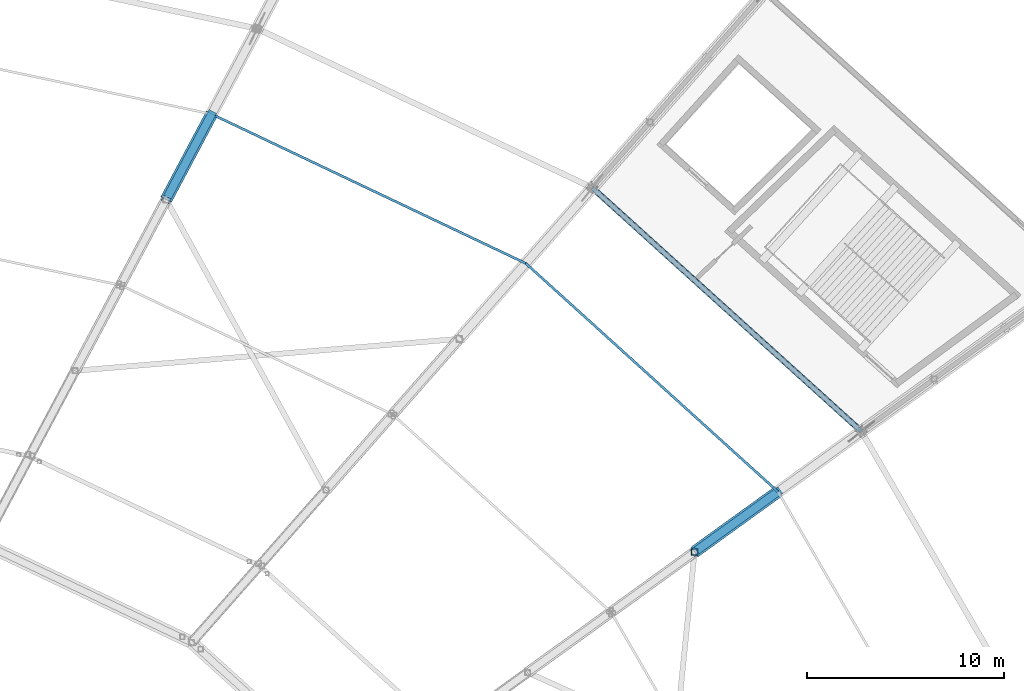
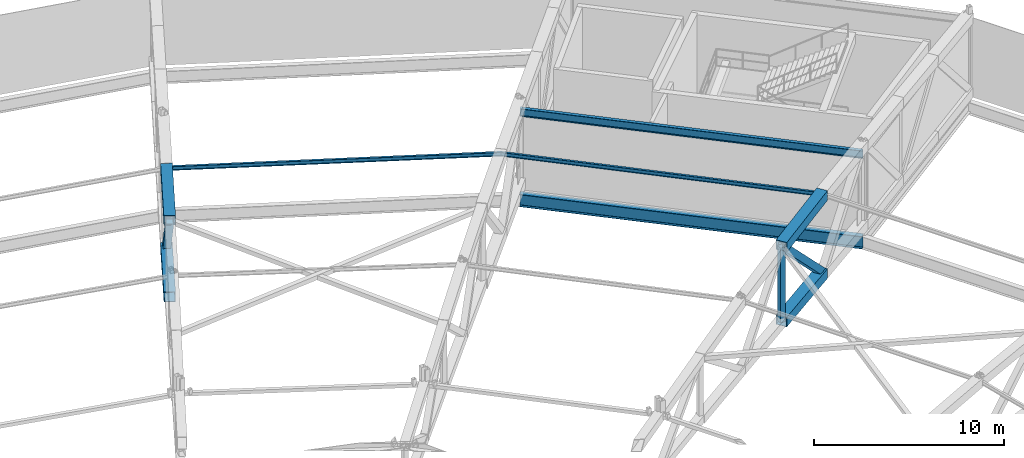
# One storey, part 86 of 162: 9 members, 2 beams.
"""IFC4 building model written with IfcOpenShell, lengths in metres."""

import ifcopenshell
import ifcopenshell.guid

model = None  # the IFC model being written
_history = None  # IfcOwnerHistory: only IFC2X3 demands one
_inside = {}  # id of a spatial element -> (the spatial element, [elements in it])
_under = {}  # id of a project, library or spatial element -> (it, [spatial elements below it])
_declared = {}  # id of a project -> (the project, [libraries it declares])
_typed = {}  # id of a type object -> (the type object, [elements of that type])
_made_of = {}  # id of a material, layer set ... -> (it, [elements and type objects made of it])


def new_model(schema):
    """Start an empty IFC model of exactly this schema.

    Asked for "IFC4X3", IfcOpenShell would pick the latest addendum, in which some entities
    have other attributes; the version numbers below select the first issue.
    IFC2X3 requires an IfcOwnerHistory on every rooted entity: one is made here for all.
    """
    global model, _history
    if schema == "IFC4X3":
        model = ifcopenshell.file(schema_version=(4, 3, 0, 0))
    else:
        model = ifcopenshell.file(schema=schema)
    _inside.clear()
    _under.clear()
    _declared.clear()
    _typed.clear()
    _made_of.clear()
    _history = None
    if model.schema == "IFC2X3":
        org = make("IfcOrganization", Name="unknown")
        user = make(
            "IfcPersonAndOrganization",
            ThePerson=make("IfcPerson", FamilyName="unknown"),
            TheOrganization=org,
        )
        app = make(
            "IfcApplication",
            ApplicationDeveloper=org,
            Version="unknown",
            ApplicationFullName="unknown",
            ApplicationIdentifier="unknown",
        )
        _history = make(
            "IfcOwnerHistory",
            OwningUser=user,
            OwningApplication=app,
            ChangeAction="ADDED",
            CreationDate=0,
        )
    return model


def make(cls, **values):
    """One entity of the class cls with the attributes given. An attribute that is None is left unset."""
    return model.create_entity(
        cls, **{name: value for name, value in values.items() if value is not None}
    )


def rooted(cls, **values):
    """An entity with a GlobalId (a new one), such as an element, a storey or a relation."""
    return make(cls, GlobalId=ifcopenshell.guid.new(), OwnerHistory=_history, **values)


def si_unit(unit_type, name, prefix=None):
    """IfcSIUnit, for example si_unit("LENGTHUNIT", "METRE", prefix="MILLI")."""
    return make("IfcSIUnit", UnitType=unit_type, Prefix=prefix, Name=name)


def assignment(units):
    """IfcUnitAssignment: the units of a project."""
    return None if units is None else make("IfcUnitAssignment", Units=units)


def point(xyz):
    """IfcCartesianPoint."""
    return None if xyz is None else make("IfcCartesianPoint", Coordinates=xyz)


def direction(xyz):
    """IfcDirection."""
    return None if xyz is None else make("IfcDirection", DirectionRatios=xyz)


def frame(location, z_axis=None, x_axis=None):
    """IfcAxis2Placement3D, a coordinate frame: its origin and axes. An axis left out is left unset."""
    return make(
        "IfcAxis2Placement3D",
        Location=point(location),
        Axis=direction(z_axis),
        RefDirection=direction(x_axis),
    )


def frame_2d(location, x_axis=None):
    """IfcAxis2Placement2D, a coordinate frame in the plane: its origin and x axis."""
    return make(
        "IfcAxis2Placement2D", Location=point(location), RefDirection=direction(x_axis)
    )


def origin():
    """The frame at (0, 0, 0) with its axes left unset."""
    return frame((0.0, 0.0, 0.0))


def origin_2d():
    """The frame at (0, 0) in the plane with its x axis left unset."""
    return frame_2d((0.0, 0.0))


def place(relative_to, where):
    """IfcLocalPlacement: puts the frame where relative to a parent placement (None: the world)."""
    return make(
        "IfcLocalPlacement", PlacementRelTo=relative_to, RelativePlacement=where
    )


def context(
    kind, dimensions, precision=None, world=None, true_north=None, identifier=None
):
    """IfcGeometricRepresentationContext, for example the 3D "Model" context."""
    return make(
        "IfcGeometricRepresentationContext",
        ContextIdentifier=identifier,
        ContextType=kind,
        CoordinateSpaceDimension=dimensions,
        Precision=precision,
        WorldCoordinateSystem=world,
        TrueNorth=true_north,
    )


def subcontext(parent, identifier, kind, view, scale=None):
    """IfcGeometricRepresentationSubContext, for example "Body" below "Model"."""
    return make(
        "IfcGeometricRepresentationSubContext",
        ContextIdentifier=identifier,
        ContextType=kind,
        ParentContext=parent,
        TargetScale=scale,
        TargetView=view,
    )


def project(units=None, contexts=None):
    """IfcProject with its units and contexts."""
    return rooted(
        "IfcProject",
        Name="project",
        RepresentationContexts=contexts,
        UnitsInContext=assignment(units),
    )


def spatial(cls, under=None, at=None, **own):
    """A site, building, storey or space (cls), placed at a placement, below another one or the project."""
    s = rooted(cls, ObjectPlacement=at, **own)
    if under is not None:
        _under.setdefault(under.id(), (under, []))[1].append(s)
    return s


def profile(cls, at=None, kind="AREA", **sizes):
    """A parametric profile (cls). Its sizes go by their IFC names, for example OverallWidth=200.0."""
    return make(cls, ProfileType=kind, Position=at, **sizes)


def hollow_rectangle(**sizes):
    """IfcRectangleHollowProfileDef."""
    return profile("IfcRectangleHollowProfileDef", **sizes)


def i_section(**sizes):
    """IfcIShapeProfileDef."""
    return profile("IfcIShapeProfileDef", **sizes)


def extrude(swept, where, along, depth):
    """IfcExtrudedAreaSolid: the profile swept, set in the frame where, extruded along a direction by depth."""
    return make(
        "IfcExtrudedAreaSolid",
        SweptArea=swept,
        Position=where,
        ExtrudedDirection=direction(along),
        Depth=depth,
    )


def shape(context_of_items, identifier, shape_type, items):
    """IfcShapeRepresentation: the items that make up one representation, for example the "Body"."""
    return make(
        "IfcShapeRepresentation",
        ContextOfItems=context_of_items,
        RepresentationIdentifier=identifier,
        RepresentationType=shape_type,
        Items=items,
    )


def material(Name=None, Category=None):
    """IfcMaterial."""
    return make("IfcMaterial", Name=Name, Category=Category)


def material_profile(
    of_material, cross_section, Name=None, Category=None, Priority=None
):
    """IfcMaterialProfile: a cross section and its material."""
    return make(
        "IfcMaterialProfile",
        Name=Name,
        Material=of_material,
        Profile=cross_section,
        Priority=Priority,
        Category=Category,
    )


def profile_set(profiles, Name=None, composite=None):
    """IfcMaterialProfileSet."""
    return make(
        "IfcMaterialProfileSet",
        Name=Name,
        MaterialProfiles=profiles,
        CompositeProfile=composite,
    )


def made_of(thing, what):
    """Note that an element or type object is made of a material, layer set ...; save() writes the relation."""
    if what is not None:
        _made_of.setdefault(what.id(), (what, []))[1].append(thing)
    return thing


def type_object(cls, material=None, **own):
    """A type object (cls), such as IfcWallType, which elements share."""
    return made_of(rooted(cls, **own), material)


def element(
    cls,
    number,
    at=None,
    inside=None,
    cuts=None,
    type_object=None,
    material=None,
    context=None,
    identifier="Body",
    shape_type=None,
    held_by="IfcProductDefinitionShape",
    body=None,
    shapes=None,
    **own,
):
    """One element of the class cls, such as IfcWall. Its Tag is "e" and its number.

    at: its placement. inside: the storey or other place that contains it. cuts: it is an
    opening in that element (IfcRelVoidsElement). A single representation is given by context,
    identifier, shape_type and body (its items); several are given by shapes. held_by: the class
    of the entity that holds the representations. save() writes the other relations.
    """
    e = rooted(cls, Tag="e%d" % number, ObjectPlacement=at, **own)
    if body is not None:
        shapes = [shape(context, identifier, shape_type, body)]
    if shapes is not None:
        e.Representation = make(held_by, Representations=shapes)
    if inside is not None:
        _inside.setdefault(inside.id(), (inside, []))[1].append(e)
    if cuts is not None:
        rooted(
            "IfcRelVoidsElement", RelatingBuildingElement=cuts, RelatedOpeningElement=e
        )
    if type_object is not None:
        _typed.setdefault(type_object.id(), (type_object, []))[1].append(e)
    return made_of(e, material)


def aggregate(whole, parts):
    """IfcRelAggregates: a whole, such as a stair, and the parts it consists of."""
    return rooted("IfcRelAggregates", RelatingObject=whole, RelatedObjects=parts)


def save(model, path):
    """Write the relations noted so far, then the file.

    IfcRelAggregates (storeys below a building ...), IfcRelContainedInSpatialStructure (elements
    in a storey), IfcRelDefinesByType, IfcRelAssociatesMaterial and IfcRelDeclares: one each for
    every whole, place, type object, material and project.
    """
    for whole, parts in _under.values():
        aggregate(whole, parts)
    for where, things in _inside.values():
        rooted(
            "IfcRelContainedInSpatialStructure",
            RelatedElements=things,
            RelatingStructure=where,
        )
    for kind, things in _typed.values():
        rooted("IfcRelDefinesByType", RelatedObjects=things, RelatingType=kind)
    for what, things in _made_of.values():
        rooted("IfcRelAssociatesMaterial", RelatedObjects=things, RelatingMaterial=what)
    for by, libraries in _declared.values():
        rooted("IfcRelDeclares", RelatingContext=by, RelatedDefinitions=libraries)
    model.write(path)


model = new_model("IFC4")

# Units and contexts
model_context = context("Model", 3, precision=1e-05, world=origin(), true_north=direction((0.0, 1.0)))
body_context = subcontext(model_context, "Body", "Model", "MODEL_VIEW")
ifc_project = project(units=[si_unit("LENGTHUNIT", "METRE"), si_unit("AREAUNIT", "SQUARE_METRE"), si_unit("VOLUMEUNIT", "CUBIC_METRE"), si_unit("PLANEANGLEUNIT", "RADIAN"), si_unit("MASSUNIT", "GRAM", prefix="KILO")], contexts=[model_context])

# Site, building, storey
site_placement = place(None, origin())
site = spatial("IfcSite", under=ifc_project, at=site_placement, CompositionType="ELEMENT")
building_placement = place(site_placement, origin())
building = spatial("IfcBuilding", under=site, at=building_placement, Name="Kazemori Nagisa Stadium", CompositionType="ELEMENT")
storey_placement = place(building_placement, frame((0.0, 0.0, 36.719970703125)))
storey = spatial("IfcBuildingStorey", under=building, at=storey_placement, Name="RF", CompositionType="ELEMENT", Elevation=36.719970703125)

# Beams
ifc_material_1 = material(Name="Steel SN490B", Category="steel")
ifc_material_profile_1 = material_profile(ifc_material_1, i_section(OverallWidth=0.199951171875, OverallDepth=0.5, WebThickness=0.010009765625, FlangeThickness=0.01611328125, FilletRadius=0.012939453125, at=origin_2d()), Name="H-500x200x10x16")
ifc_profile_set_1 = profile_set([ifc_material_profile_1], Name="Steel SN490B")
beam_type_1 = type_object("IfcBeamType", Name="Beam_BG-H500", PredefinedType="BEAM", material=ifc_profile_set_1)
beam_1_placement = place(storey_placement, frame((190.506103515625, 150.734130859375, 4.93994140625), z_axis=(-0.741349142139, 0.671119549298, 0.0), x_axis=(-0.671119549298, -0.741349142139, 0.0)))
element("IfcBeam", 1, at=beam_1_placement, inside=storey, type_object=beam_type_1, Name="Headhouse roof beam BG-H500 B04-in", PredefinedType="BEAM", context=body_context, shape_type="SweptSolid", body=[
    extrude(i_section(OverallWidth=0.199951171875, OverallDepth=0.5, WebThickness=0.010009765625, FlangeThickness=0.01611328125, FilletRadius=0.012939453125, at=origin_2d()), origin(), (0.0, 0.0, 1.0), 18.44189453125),
])
ifc_material_profile_2 = material_profile(ifc_material_1, i_section(OverallWidth=0.300048828125, OverallDepth=0.800048828125, WebThickness=0.013916015625, FlangeThickness=0.02587890625, FilletRadius=0.01806640625, at=origin_2d()), Name="H-800x300x14x26")
ifc_profile_set_2 = profile_set([ifc_material_profile_2], Name="Steel SN490B")
beam_type_2 = type_object("IfcBeamType", Name="Beam_BG-H800", PredefinedType="BEAM", material=ifc_profile_set_2)
beam_2_placement = place(storey_placement, frame((190.506103515625, 150.734130859375, -0.679931640625), z_axis=(-0.741349142139, 0.671119549298, 0.0), x_axis=(-0.671119549298, -0.741349142139, 0.0)))
element("IfcBeam", 2, at=beam_2_placement, inside=storey, type_object=beam_type_2, Name="Ring girder BG-H800 RF R2-04", PredefinedType="BEAM", context=body_context, shape_type="SweptSolid", body=[
    extrude(i_section(OverallWidth=0.300048828125, OverallDepth=0.800048828125, WebThickness=0.013916015625, FlangeThickness=0.02587890625, FilletRadius=0.01806640625, at=origin_2d()), origin(), (0.0, 0.0, 1.0), 18.44189453125),
])

# Members
ifc_material_2 = material(Name="Steel STKR490", Category="steel")
ifc_material_profile_3 = material_profile(ifc_material_2, hollow_rectangle(XDim=0.419921875, YDim=0.419921875, WallThickness=0.01611328125, at=origin_2d()), Name="SHS-420x420x16")
ifc_profile_set_3 = profile_set([ifc_material_profile_3], Name="Steel STKR490")
member_type_1 = type_object("IfcMemberType", Name="Member_TB-SHS420", PredefinedType="BRACE", material=ifc_profile_set_3)
member_1_placement = place(storey_placement, frame((186.267333984375, 147.674072265625, 0.68212890625), z_axis=(-0.584951926834, -0.42228933596, 0.692461522417), x_axis=(0.585330267791, -0.810794966442, 0.0)))
element("IfcMember", 3, at=member_1_placement, inside=storey, type_object=member_type_1, Name="Roof space truss diagonal RT-04-5", PredefinedType="BRACE", context=body_context, shape_type="SweptSolid", body=[
    extrude(hollow_rectangle(XDim=0.419921875, YDim=0.419921875, WallThickness=0.01611328125, at=origin_2d()), origin(), (0.0, 0.0, 1.0), 7.246337890625),
])
member_2_placement = place(storey_placement, frame((157.50048828125, 166.854248046875, 0.717041015625), z_axis=(-0.323663105371, -0.60848800564, 0.724558169655), x_axis=(0.882872826789, -0.469612150309, 0.0)))
element("IfcMember", 4, at=member_2_placement, inside=storey, type_object=member_type_1, Name="Roof space truss diagonal RT-06-5", PredefinedType="BRACE", context=body_context, shape_type="SweptSolid", body=[
    extrude(hollow_rectangle(XDim=0.419921875, YDim=0.419921875, WallThickness=0.01611328125, at=origin_2d()), origin(), (0.0, 0.0, 1.0), 7.14111328125),
])
ifc_material_profile_4 = material_profile(ifc_material_2, hollow_rectangle(XDim=0.6201171875, YDim=0.6201171875, WallThickness=0.02197265625, at=origin_2d()), Name="SHS-620x620x22")
ifc_profile_set_4 = profile_set([ifc_material_profile_4], Name="Steel STKR490")
member_type_2 = type_object("IfcMemberType", Name="Member_TC-SHS620", PredefinedType="CHORD", material=ifc_profile_set_4)
member_3_placement = place(storey_placement, frame((186.267333984375, 147.674072265625, 5.695068359375), z_axis=(-0.810794612801, -0.585330012489, 0.000933987574), x_axis=(0.585330267791, -0.810794966442, 0.0)))
element("IfcMember", 5, at=member_3_placement, inside=storey, type_object=member_type_2, Name="Roof space truss top chord RT-04-5", PredefinedType="CHORD", context=body_context, shape_type="SweptSolid", body=[
    extrude(hollow_rectangle(XDim=0.6201171875, YDim=0.6201171875, WallThickness=0.02197265625, at=origin_2d()), origin(), (0.0, 0.0, 1.0), 5.22802734375),
])
member_4_placement = place(storey_placement, frame((186.267333984375, 147.674072265625, 0.68212890625), z_axis=(-0.810065433445, -0.584803602281, 0.042411558519), x_axis=(0.585330267791, -0.810794966442, 0.0)))
element("IfcMember", 6, at=member_4_placement, inside=storey, type_object=member_type_2, Name="Roof space truss bottom chord RT-04-5", PredefinedType="CHORD", context=body_context, shape_type="SweptSolid", body=[
    extrude(hollow_rectangle(XDim=0.6201171875, YDim=0.6201171875, WallThickness=0.02197265625, at=origin_2d()), origin(), (0.0, 0.0, 1.0), 5.232666015625),
])
member_5_placement = place(storey_placement, frame((157.50048828125, 166.854248046875, 5.800048828125), z_axis=(-0.469531784857, -0.882721739398, 0.018499562243), x_axis=(0.882872826789, -0.469612150309, 0.0)))
element("IfcMember", 7, at=member_5_placement, inside=storey, type_object=member_type_2, Name="Roof space truss top chord RT-06-5", PredefinedType="CHORD", context=body_context, shape_type="SweptSolid", body=[
    extrude(hollow_rectangle(XDim=0.6201171875, YDim=0.6201171875, WallThickness=0.02197265625, at=origin_2d()), origin(), (0.0, 0.0, 1.0), 4.922607421875),
])
member_6_placement = place(storey_placement, frame((157.50048828125, 166.854248046875, 0.717041015625), z_axis=(-0.468977647819, -0.881679959427, 0.05196551733), x_axis=(0.882872826789, -0.469612150309, 0.0)))
element("IfcMember", 8, at=member_6_placement, inside=storey, type_object=member_type_2, Name="Roof space truss bottom chord RT-06-5", PredefinedType="CHORD", context=body_context, shape_type="SweptSolid", body=[
    extrude(hollow_rectangle(XDim=0.6201171875, YDim=0.6201171875, WallThickness=0.02197265625, at=origin_2d()), origin(), (0.0, 0.0, 1.0), 4.92822265625),
])
ifc_material_profile_5 = material_profile(ifc_material_1, i_section(OverallWidth=0.125, OverallDepth=0.25, WebThickness=0.006103515625, FlangeThickness=0.009033203125, FilletRadius=0.008056640625, at=origin_2d()), Name="H-250x125x6x9")
ifc_profile_set_5 = profile_set([ifc_material_profile_5], Name="Steel SN490B")
member_type_3 = type_object("IfcMemberType", Name="Member_TP-H250", PredefinedType="PURLIN", material=ifc_profile_set_5)
member_7_placement = place(storey_placement, frame((186.267333984375, 147.674072265625, 5.695068359375), z_axis=(-0.741353878391, 0.671108606742, 0.002768564899), x_axis=(-0.671111178764, -0.741356719628, 0.0)))
element("IfcMember", 9, at=member_7_placement, inside=storey, type_object=member_type_3, Name="Roof purlin TP-H250 B04-P4", PredefinedType="PURLIN", context=body_context, shape_type="SweptSolid", body=[
    extrude(i_section(OverallWidth=0.125, OverallDepth=0.25, WebThickness=0.006103515625, FlangeThickness=0.009033203125, FilletRadius=0.008056640625, at=origin_2d()), origin(), (0.0, 0.0, 1.0), 17.283935546875),
])
member_8_placement = place(storey_placement, frame((173.453857421875, 159.2734375, 5.742919921875), z_axis=(-0.903207817218, 0.429191306641, 0.003234381043), x_axis=(-0.429193551591, -0.903212541583, 0.0)))
element("IfcMember", 10, at=member_8_placement, inside=storey, type_object=member_type_3, Name="Roof purlin TP-H250 B05-P4", PredefinedType="PURLIN", context=body_context, shape_type="SweptSolid", body=[
    extrude(i_section(OverallWidth=0.125, OverallDepth=0.25, WebThickness=0.006103515625, FlangeThickness=0.009033203125, FilletRadius=0.008056640625, at=origin_2d()), origin(), (0.0, 0.0, 1.0), 17.6630859375),
])
ifc_material_profile_6 = material_profile(ifc_material_2, hollow_rectangle(XDim=0.320068359375, YDim=0.320068359375, WallThickness=0.011962890625, at=origin_2d()), Name="SHS-320x320x12")
ifc_profile_set_6 = profile_set([ifc_material_profile_6], Name="Steel STKR490")
member_type_4 = type_object("IfcMemberType", Name="Member_TS-SHS320", PredefinedType="STRUT", material=ifc_profile_set_6)
member_9_placement = place(storey_placement, frame((182.028564453125, 144.614013671875, 0.904052734375), z_axis=(0.0, 0.0, 1.0), x_axis=(1.0, 0.0, 0.0)))
element("IfcMember", 11, at=member_9_placement, inside=storey, type_object=member_type_4, Name="Roof space truss strut RT-04-6", PredefinedType="STRUT", context=body_context, shape_type="SweptSolid", body=[
    extrude(hollow_rectangle(XDim=0.320068359375, YDim=0.320068359375, WallThickness=0.011962890625, at=origin_2d()), origin(), (0.0, 0.0, 1.0), 4.7958984375),
])

save(model, "model.ifc")
